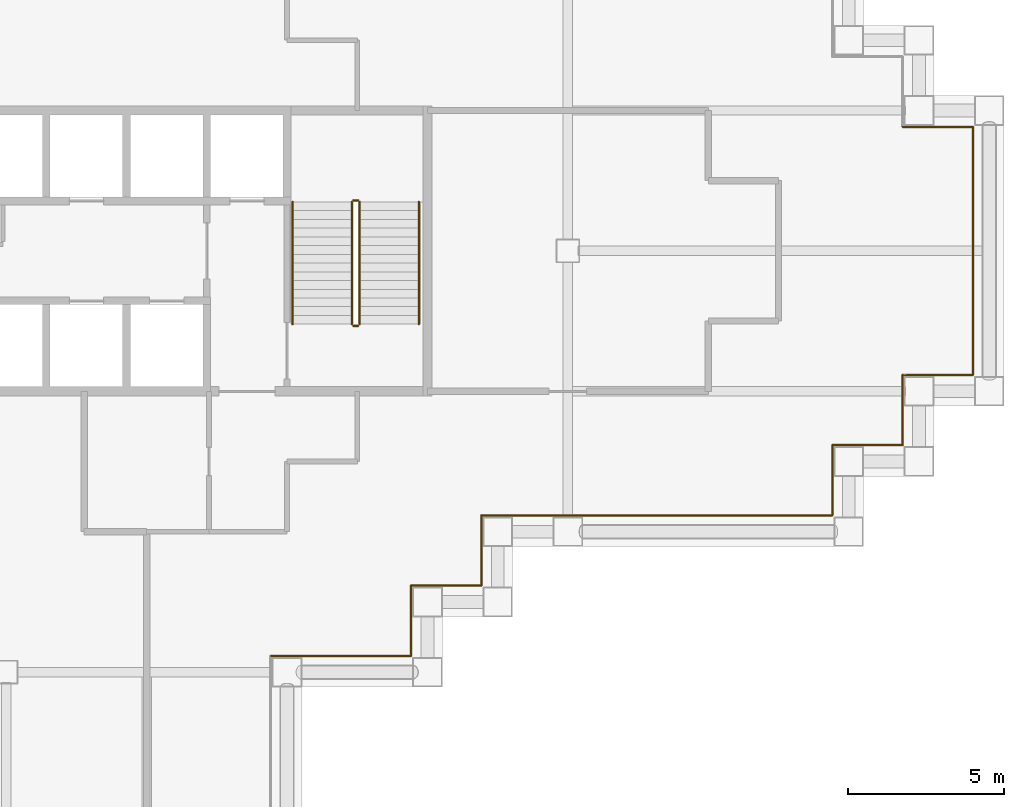
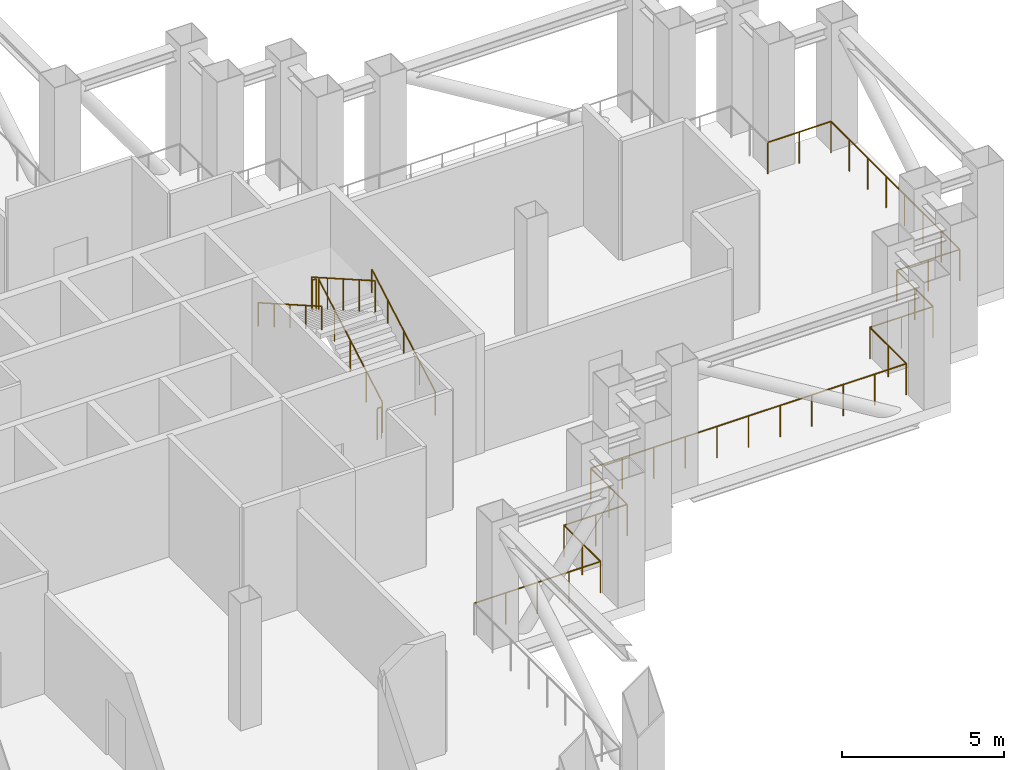
# One storey, part 9 of 10: 17 railings.
"""IFC4 building model written with IfcOpenShell, lengths in metres."""

import ifcopenshell
import ifcopenshell.guid

model = None  # the IFC model being written
_history = None  # IfcOwnerHistory: only IFC2X3 demands one
_inside = {}  # id of a spatial element -> (the spatial element, [elements in it])
_under = {}  # id of a project, library or spatial element -> (it, [spatial elements below it])
_declared = {}  # id of a project -> (the project, [libraries it declares])
_typed = {}  # id of a type object -> (the type object, [elements of that type])
_made_of = {}  # id of a material, layer set ... -> (it, [elements and type objects made of it])


def new_model(schema):
    """Start an empty IFC model of exactly this schema.

    Asked for "IFC4X3", IfcOpenShell would pick the latest addendum, in which some entities
    have other attributes; the version numbers below select the first issue.
    IFC2X3 requires an IfcOwnerHistory on every rooted entity: one is made here for all.
    """
    global model, _history
    if schema == "IFC4X3":
        model = ifcopenshell.file(schema_version=(4, 3, 0, 0))
    else:
        model = ifcopenshell.file(schema=schema)
    _inside.clear()
    _under.clear()
    _declared.clear()
    _typed.clear()
    _made_of.clear()
    _history = None
    if model.schema == "IFC2X3":
        org = make("IfcOrganization", Name="unknown")
        user = make(
            "IfcPersonAndOrganization",
            ThePerson=make("IfcPerson", FamilyName="unknown"),
            TheOrganization=org,
        )
        app = make(
            "IfcApplication",
            ApplicationDeveloper=org,
            Version="unknown",
            ApplicationFullName="unknown",
            ApplicationIdentifier="unknown",
        )
        _history = make(
            "IfcOwnerHistory",
            OwningUser=user,
            OwningApplication=app,
            ChangeAction="ADDED",
            CreationDate=0,
        )
    return model


def make(cls, **values):
    """One entity of the class cls with the attributes given. An attribute that is None is left unset."""
    return model.create_entity(
        cls, **{name: value for name, value in values.items() if value is not None}
    )


def rooted(cls, **values):
    """An entity with a GlobalId (a new one), such as an element, a storey or a relation."""
    return make(cls, GlobalId=ifcopenshell.guid.new(), OwnerHistory=_history, **values)


def si_unit(unit_type, name, prefix=None):
    """IfcSIUnit, for example si_unit("LENGTHUNIT", "METRE", prefix="MILLI")."""
    return make("IfcSIUnit", UnitType=unit_type, Prefix=prefix, Name=name)


def assignment(units):
    """IfcUnitAssignment: the units of a project."""
    return None if units is None else make("IfcUnitAssignment", Units=units)


def point(xyz):
    """IfcCartesianPoint."""
    return None if xyz is None else make("IfcCartesianPoint", Coordinates=xyz)


def direction(xyz):
    """IfcDirection."""
    return None if xyz is None else make("IfcDirection", DirectionRatios=xyz)


def frame(location, z_axis=None, x_axis=None):
    """IfcAxis2Placement3D, a coordinate frame: its origin and axes. An axis left out is left unset."""
    return make(
        "IfcAxis2Placement3D",
        Location=point(location),
        Axis=direction(z_axis),
        RefDirection=direction(x_axis),
    )


def frame_2d(location, x_axis=None):
    """IfcAxis2Placement2D, a coordinate frame in the plane: its origin and x axis."""
    return make(
        "IfcAxis2Placement2D", Location=point(location), RefDirection=direction(x_axis)
    )


def origin():
    """The frame at (0, 0, 0) with its axes left unset."""
    return frame((0.0, 0.0, 0.0))


def origin_2d():
    """The frame at (0, 0) in the plane with its x axis left unset."""
    return frame_2d((0.0, 0.0))


def place(relative_to, where):
    """IfcLocalPlacement: puts the frame where relative to a parent placement (None: the world)."""
    return make(
        "IfcLocalPlacement", PlacementRelTo=relative_to, RelativePlacement=where
    )


def context(
    kind, dimensions, precision=None, world=None, true_north=None, identifier=None
):
    """IfcGeometricRepresentationContext, for example the 3D "Model" context."""
    return make(
        "IfcGeometricRepresentationContext",
        ContextIdentifier=identifier,
        ContextType=kind,
        CoordinateSpaceDimension=dimensions,
        Precision=precision,
        WorldCoordinateSystem=world,
        TrueNorth=true_north,
    )


def subcontext(parent, identifier, kind, view, scale=None):
    """IfcGeometricRepresentationSubContext, for example "Body" below "Model"."""
    return make(
        "IfcGeometricRepresentationSubContext",
        ContextIdentifier=identifier,
        ContextType=kind,
        ParentContext=parent,
        TargetScale=scale,
        TargetView=view,
    )


def project(units=None, contexts=None):
    """IfcProject with its units and contexts."""
    return rooted(
        "IfcProject",
        Name="project",
        RepresentationContexts=contexts,
        UnitsInContext=assignment(units),
    )


def spatial(cls, under=None, at=None, **own):
    """A site, building, storey or space (cls), placed at a placement, below another one or the project."""
    s = rooted(cls, ObjectPlacement=at, **own)
    if under is not None:
        _under.setdefault(under.id(), (under, []))[1].append(s)
    return s


def profile(cls, at=None, kind="AREA", **sizes):
    """A parametric profile (cls). Its sizes go by their IFC names, for example OverallWidth=200.0."""
    return make(cls, ProfileType=kind, Position=at, **sizes)


def circle(**sizes):
    """IfcCircleProfileDef."""
    return profile("IfcCircleProfileDef", **sizes)


def extrude(swept, where, along, depth):
    """IfcExtrudedAreaSolid: the profile swept, set in the frame where, extruded along a direction by depth."""
    return make(
        "IfcExtrudedAreaSolid",
        SweptArea=swept,
        Position=where,
        ExtrudedDirection=direction(along),
        Depth=depth,
    )


def shape(context_of_items, identifier, shape_type, items):
    """IfcShapeRepresentation: the items that make up one representation, for example the "Body"."""
    return make(
        "IfcShapeRepresentation",
        ContextOfItems=context_of_items,
        RepresentationIdentifier=identifier,
        RepresentationType=shape_type,
        Items=items,
    )


def material(Name=None, Category=None):
    """IfcMaterial."""
    return make("IfcMaterial", Name=Name, Category=Category)


def made_of(thing, what):
    """Note that an element or type object is made of a material, layer set ...; save() writes the relation."""
    if what is not None:
        _made_of.setdefault(what.id(), (what, []))[1].append(thing)
    return thing


def type_object(cls, material=None, **own):
    """A type object (cls), such as IfcWallType, which elements share."""
    return made_of(rooted(cls, **own), material)


def element(
    cls,
    number,
    at=None,
    inside=None,
    cuts=None,
    type_object=None,
    material=None,
    context=None,
    identifier="Body",
    shape_type=None,
    held_by="IfcProductDefinitionShape",
    body=None,
    shapes=None,
    **own,
):
    """One element of the class cls, such as IfcWall. Its Tag is "e" and its number.

    at: its placement. inside: the storey or other place that contains it. cuts: it is an
    opening in that element (IfcRelVoidsElement). A single representation is given by context,
    identifier, shape_type and body (its items); several are given by shapes. held_by: the class
    of the entity that holds the representations. save() writes the other relations.
    """
    e = rooted(cls, Tag="e%d" % number, ObjectPlacement=at, **own)
    if body is not None:
        shapes = [shape(context, identifier, shape_type, body)]
    if shapes is not None:
        e.Representation = make(held_by, Representations=shapes)
    if inside is not None:
        _inside.setdefault(inside.id(), (inside, []))[1].append(e)
    if cuts is not None:
        rooted(
            "IfcRelVoidsElement", RelatingBuildingElement=cuts, RelatedOpeningElement=e
        )
    if type_object is not None:
        _typed.setdefault(type_object.id(), (type_object, []))[1].append(e)
    return made_of(e, material)


def aggregate(whole, parts):
    """IfcRelAggregates: a whole, such as a stair, and the parts it consists of."""
    return rooted("IfcRelAggregates", RelatingObject=whole, RelatedObjects=parts)


def save(model, path):
    """Write the relations noted so far, then the file.

    IfcRelAggregates (storeys below a building ...), IfcRelContainedInSpatialStructure (elements
    in a storey), IfcRelDefinesByType, IfcRelAssociatesMaterial and IfcRelDeclares: one each for
    every whole, place, type object, material and project.
    """
    for whole, parts in _under.values():
        aggregate(whole, parts)
    for where, things in _inside.values():
        rooted(
            "IfcRelContainedInSpatialStructure",
            RelatedElements=things,
            RelatingStructure=where,
        )
    for kind, things in _typed.values():
        rooted("IfcRelDefinesByType", RelatedObjects=things, RelatingType=kind)
    for what, things in _made_of.values():
        rooted("IfcRelAssociatesMaterial", RelatedObjects=things, RelatingMaterial=what)
    for by, libraries in _declared.values():
        rooted("IfcRelDeclares", RelatingContext=by, RelatedDefinitions=libraries)
    model.write(path)


model = new_model("IFC4")

# Units and contexts
model_context = context("Model", 3, precision=1e-05, world=origin(), true_north=direction((0.0, 1.0)))
body_context = subcontext(model_context, "Body", "Model", "MODEL_VIEW")
ifc_project = project(units=[si_unit("LENGTHUNIT", "METRE"), si_unit("AREAUNIT", "SQUARE_METRE"), si_unit("VOLUMEUNIT", "CUBIC_METRE"), si_unit("PLANEANGLEUNIT", "RADIAN"), si_unit("MASSUNIT", "GRAM", prefix="KILO")], contexts=[model_context])

# Site, building, storey
site_placement = place(None, origin())
site = spatial("IfcSite", under=ifc_project, at=site_placement, CompositionType="ELEMENT")
building_placement = place(site_placement, origin())
building = spatial("IfcBuilding", under=site, at=building_placement, Name="Caravel Reach Hotel and Residences", CompositionType="ELEMENT")
storey_placement = place(building_placement, frame((0.0, 0.0, 96.0)))
storey = spatial("IfcBuildingStorey", under=building, at=storey_placement, Name="L23", CompositionType="ELEMENT", Elevation=96.0)

# Railings
ifc_material_1 = material(Name="Stainless steel S30408", Category="steel")
railing_type_1 = type_object("IfcRailingType", Name="G1 Guard 1200 stainless", PredefinedType="GUARDRAIL", material=ifc_material_1)
railing_1_placement = place(storey_placement, frame((39.97509765625, 14.02490234375, 0.0)))
element("IfcRailing", 1, at=railing_1_placement, inside=storey, type_object=railing_type_1, Name="Guard L23 1 run 11", PredefinedType="GUARDRAIL", context=body_context, shape_type="SweptSolid", body=[
    extrude(circle(Radius=0.02392578125, at=origin_2d()), frame((0.0, 0.0, 1.17578125), z_axis=(1.0, 0.0, 0.0), x_axis=(0.0, 1.0, 0.0)), (0.0, 0.0, 1.0), 4.5),
    extrude(circle(Radius=0.02099609375, at=origin_2d()), frame((1.125, 0.0, 0.0)), (0.0, 0.0, 1.0), 1.15185546875),
    extrude(circle(Radius=0.02099609375, at=origin_2d()), frame((2.25, 0.0, 0.0)), (0.0, 0.0, 1.0), 1.15185546875),
    extrude(circle(Radius=0.02099609375, at=origin_2d()), frame((3.375, 0.0, 0.0)), (0.0, 0.0, 1.0), 1.15185546875),
    extrude(circle(Radius=0.02099609375, at=origin_2d()), frame((4.5, 0.0, 0.0)), (0.0, 0.0, 1.0), 1.15185546875),
])
railing_2_placement = place(storey_placement, frame((44.47509765625, 14.02490234375, 0.0)))
element("IfcRailing", 2, at=railing_2_placement, inside=storey, type_object=railing_type_1, Name="Guard L23 1 run 12", PredefinedType="GUARDRAIL", context=body_context, shape_type="SweptSolid", body=[
    extrude(circle(Radius=0.02392578125, at=origin_2d()), frame((0.0, 0.0, 1.17578125), z_axis=(0.0, 1.0, 0.0), x_axis=(-1.0, 0.0, 0.0)), (0.0, 0.0, 1.0), 2.25),
    extrude(circle(Radius=0.02099609375, at=origin_2d()), frame((0.0, 1.125, 0.0)), (0.0, 0.0, 1.0), 1.15185546875),
    extrude(circle(Radius=0.02099609375, at=origin_2d()), frame((0.0, 2.25, 0.0)), (0.0, 0.0, 1.0), 1.15185546875),
])
railing_3_placement = place(storey_placement, frame((44.47509765625, 16.27490234375, 0.0)))
element("IfcRailing", 3, at=railing_3_placement, inside=storey, type_object=railing_type_1, Name="Guard L23 1 run 13", PredefinedType="GUARDRAIL", context=body_context, shape_type="SweptSolid", body=[
    extrude(circle(Radius=0.02392578125, at=origin_2d()), frame((0.0, 0.0, 1.17578125), z_axis=(1.0, 0.0, 0.0), x_axis=(0.0, 1.0, 0.0)), (0.0, 0.0, 1.0), 2.25),
    extrude(circle(Radius=0.02099609375, at=origin_2d()), frame((1.125, 0.0, 0.0)), (0.0, 0.0, 1.0), 1.15185546875),
    extrude(circle(Radius=0.02099609375, at=origin_2d()), frame((2.25, 0.0, 0.0)), (0.0, 0.0, 1.0), 1.15185546875),
])
railing_4_placement = place(storey_placement, frame((46.72509765625, 16.27490234375, 0.0)))
element("IfcRailing", 4, at=railing_4_placement, inside=storey, type_object=railing_type_1, Name="Guard L23 1 run 14", PredefinedType="GUARDRAIL", context=body_context, shape_type="SweptSolid", body=[
    extrude(circle(Radius=0.02392578125, at=origin_2d()), frame((0.0, 0.0, 1.17578125), z_axis=(0.0, 1.0, 0.0), x_axis=(-1.0, 0.0, 0.0)), (0.0, 0.0, 1.0), 2.25),
    extrude(circle(Radius=0.02099609375, at=origin_2d()), frame((0.0, 1.125, 0.0)), (0.0, 0.0, 1.0), 1.15185546875),
    extrude(circle(Radius=0.02099609375, at=origin_2d()), frame((0.0, 2.25, 0.0)), (0.0, 0.0, 1.0), 1.15185546875),
])
railing_5_placement = place(storey_placement, frame((46.72509765625, 18.52490234375, 0.0)))
element("IfcRailing", 5, at=railing_5_placement, inside=storey, type_object=railing_type_1, Name="Guard L23 1 run 15", PredefinedType="GUARDRAIL", context=body_context, shape_type="SweptSolid", body=[
    extrude(circle(Radius=0.02392578125, at=origin_2d()), frame((0.0, 0.0, 1.17578125), z_axis=(1.0, 0.0, 0.0), x_axis=(0.0, 1.0, 0.0)), (0.0, 0.0, 1.0), 11.25),
    extrude(circle(Radius=0.02099609375, at=origin_2d()), frame((1.125, 0.0, 0.0)), (0.0, 0.0, 1.0), 1.15185546875),
    extrude(circle(Radius=0.02099609375, at=origin_2d()), frame((2.25, 0.0, 0.0)), (0.0, 0.0, 1.0), 1.15185546875),
    extrude(circle(Radius=0.02099609375, at=origin_2d()), frame((3.375, 0.0, 0.0)), (0.0, 0.0, 1.0), 1.15185546875),
    extrude(circle(Radius=0.02099609375, at=origin_2d()), frame((4.5, 0.0, 0.0)), (0.0, 0.0, 1.0), 1.15185546875),
    extrude(circle(Radius=0.02099609375, at=origin_2d()), frame((5.625, 0.0, 0.0)), (0.0, 0.0, 1.0), 1.15185546875),
    extrude(circle(Radius=0.02099609375, at=origin_2d()), frame((6.75, 0.0, 0.0)), (0.0, 0.0, 1.0), 1.15185546875),
    extrude(circle(Radius=0.02099609375, at=origin_2d()), frame((7.875, 0.0, 0.0)), (0.0, 0.0, 1.0), 1.15185546875),
    extrude(circle(Radius=0.02099609375, at=origin_2d()), frame((9.0, 0.0, 0.0)), (0.0, 0.0, 1.0), 1.15185546875),
    extrude(circle(Radius=0.02099609375, at=origin_2d()), frame((10.125, 0.0, 0.0)), (0.0, 0.0, 1.0), 1.15185546875),
    extrude(circle(Radius=0.02099609375, at=origin_2d()), frame((11.25, 0.0, 0.0)), (0.0, 0.0, 1.0), 1.15185546875),
])
railing_6_placement = place(storey_placement, frame((57.97509765625, 18.52490234375, 0.0)))
element("IfcRailing", 6, at=railing_6_placement, inside=storey, type_object=railing_type_1, Name="Guard L23 1 run 16", PredefinedType="GUARDRAIL", context=body_context, shape_type="SweptSolid", body=[
    extrude(circle(Radius=0.02392578125, at=origin_2d()), frame((0.0, 0.0, 1.17578125), z_axis=(0.0, 1.0, 0.0), x_axis=(-1.0, 0.0, 0.0)), (0.0, 0.0, 1.0), 2.25),
    extrude(circle(Radius=0.02099609375, at=origin_2d()), frame((0.0, 1.125, 0.0)), (0.0, 0.0, 1.0), 1.15185546875),
    extrude(circle(Radius=0.02099609375, at=origin_2d()), frame((0.0, 2.25, 0.0)), (0.0, 0.0, 1.0), 1.15185546875),
])
railing_7_placement = place(storey_placement, frame((57.97509765625, 20.77490234375, 0.0)))
element("IfcRailing", 7, at=railing_7_placement, inside=storey, type_object=railing_type_1, Name="Guard L23 1 run 17", PredefinedType="GUARDRAIL", context=body_context, shape_type="SweptSolid", body=[
    extrude(circle(Radius=0.02392578125, at=origin_2d()), frame((0.0, 0.0, 1.17578125), z_axis=(1.0, 0.0, 0.0), x_axis=(0.0, 1.0, 0.0)), (0.0, 0.0, 1.0), 2.25),
    extrude(circle(Radius=0.02099609375, at=origin_2d()), frame((1.125, 0.0, 0.0)), (0.0, 0.0, 1.0), 1.15185546875),
    extrude(circle(Radius=0.02099609375, at=origin_2d()), frame((2.25, 0.0, 0.0)), (0.0, 0.0, 1.0), 1.15185546875),
])
railing_8_placement = place(storey_placement, frame((60.22509765625, 20.77490234375, 0.0)))
element("IfcRailing", 8, at=railing_8_placement, inside=storey, type_object=railing_type_1, Name="Guard L23 1 run 18", PredefinedType="GUARDRAIL", context=body_context, shape_type="SweptSolid", body=[
    extrude(circle(Radius=0.02392578125, at=origin_2d()), frame((0.0, 0.0, 1.17578125), z_axis=(0.0, 1.0, 0.0), x_axis=(-1.0, 0.0, 0.0)), (0.0, 0.0, 1.0), 2.25),
    extrude(circle(Radius=0.02099609375, at=origin_2d()), frame((0.0, 1.125, 0.0)), (0.0, 0.0, 1.0), 1.15185546875),
    extrude(circle(Radius=0.02099609375, at=origin_2d()), frame((0.0, 2.25, 0.0)), (0.0, 0.0, 1.0), 1.15185546875),
])
railing_9_placement = place(storey_placement, frame((60.22509765625, 23.02490234375, 0.0)))
element("IfcRailing", 9, at=railing_9_placement, inside=storey, type_object=railing_type_1, Name="Guard L23 1 run 19", PredefinedType="GUARDRAIL", context=body_context, shape_type="SweptSolid", body=[
    extrude(circle(Radius=0.02392578125, at=origin_2d()), frame((0.0, 0.0, 1.17578125), z_axis=(1.0, 0.0, 0.0), x_axis=(0.0, 1.0, 0.0)), (0.0, 0.0, 1.0), 2.25),
    extrude(circle(Radius=0.02099609375, at=origin_2d()), frame((1.125, 0.0, 0.0)), (0.0, 0.0, 1.0), 1.15185546875),
    extrude(circle(Radius=0.02099609375, at=origin_2d()), frame((2.25, 0.0, 0.0)), (0.0, 0.0, 1.0), 1.15185546875),
])
railing_10_placement = place(storey_placement, frame((62.47509765625, 23.02490234375, 0.0)))
element("IfcRailing", 10, at=railing_10_placement, inside=storey, type_object=railing_type_1, Name="Guard L23 1 run 20", PredefinedType="GUARDRAIL", context=body_context, shape_type="SweptSolid", body=[
    extrude(circle(Radius=0.02392578125, at=origin_2d()), frame((0.0, 0.0, 1.17578125), z_axis=(0.0, 1.0, 0.0), x_axis=(-1.0, 0.0, 0.0)), (0.0, 0.0, 1.0), 7.9501953125),
    extrude(circle(Radius=0.02099609375, at=origin_2d()), frame((0.0, 1.1357421875, 0.0)), (0.0, 0.0, 1.0), 1.15185546875),
    extrude(circle(Radius=0.02099609375, at=origin_2d()), frame((0.0, 2.271484375, 0.0)), (0.0, 0.0, 1.0), 1.15185546875),
    extrude(circle(Radius=0.02099609375, at=origin_2d()), frame((0.0, 3.4072265625, 0.0)), (0.0, 0.0, 1.0), 1.15185546875),
    extrude(circle(Radius=0.02099609375, at=origin_2d()), frame((0.0, 4.54296875, 0.0)), (0.0, 0.0, 1.0), 1.15185546875),
    extrude(circle(Radius=0.02099609375, at=origin_2d()), frame((0.0, 5.6787109375, 0.0)), (0.0, 0.0, 1.0), 1.15185546875),
    extrude(circle(Radius=0.02099609375, at=origin_2d()), frame((0.0, 6.814453125, 0.0)), (0.0, 0.0, 1.0), 1.15185546875),
    extrude(circle(Radius=0.02099609375, at=origin_2d()), frame((0.0, 7.9501953125, 0.0)), (0.0, 0.0, 1.0), 1.15185546875),
])
railing_11_placement = place(storey_placement, frame((62.47509765625, 30.97509765625, 0.0)))
element("IfcRailing", 11, at=railing_11_placement, inside=storey, type_object=railing_type_1, Name="Guard L23 1 run 21", PredefinedType="GUARDRAIL", context=body_context, shape_type="SweptSolid", body=[
    extrude(circle(Radius=0.02392578125, at=origin_2d()), frame((0.0, 0.0, 1.17578125), z_axis=(-1.0, 0.0, 0.0), x_axis=(0.0, -1.0, 0.0)), (0.0, 0.0, 1.0), 2.25),
    extrude(circle(Radius=0.02099609375, at=origin_2d()), frame((-1.125, 0.0, 0.0)), (0.0, 0.0, 1.0), 1.15185546875),
    extrude(circle(Radius=0.02099609375, at=origin_2d()), frame((-2.25, 0.0, 0.0)), (0.0, 0.0, 1.0), 1.15185546875),
])
ifc_material_2 = material(Name="Steel balustrade with glass infill", Category="steel")
railing_type_2 = type_object("IfcRailingType", Name="Guard 1200", PredefinedType="GUARDRAIL", material=ifc_material_2)
railing_12_placement = place(storey_placement, frame((42.824951171875, 24.64990234375, 0.159912109375)))
element("IfcRailing", 12, at=railing_12_placement, inside=storey, type_object=railing_type_2, Name="L23 ST-B stair guard 1", PredefinedType="GUARDRAIL", context=body_context, shape_type="SweptSolid", body=[
    extrude(circle(Radius=0.02392578125, at=origin_2d()), frame((0.0, 0.0, 1.17578125), z_axis=(0.0, 0.86825312469, 0.496121468458), x_axis=(-1.0, 0.0, 0.0)), (0.0, 0.0, 1.0), 4.514892578125),
    extrude(circle(Radius=0.02099609375, at=origin_2d()), origin(), (0.0, 0.0, 1.0), 1.15185546875),
    extrude(circle(Radius=0.02099609375, at=origin_2d()), frame((0.0, 0.97998046875, 0.56005859375)), (0.0, 0.0, 1.0), 1.15185546875),
    extrude(circle(Radius=0.02099609375, at=origin_2d()), frame((0.0, 1.9599609375, 1.1201171875)), (0.0, 0.0, 1.0), 1.15185546875),
    extrude(circle(Radius=0.02099609375, at=origin_2d()), frame((0.0, 2.940185546875, 1.679931640625)), (0.0, 0.0, 1.0), 1.15185546875),
    extrude(circle(Radius=0.02099609375, at=origin_2d()), frame((0.0, 3.920166015625, 2.239990234375)), (0.0, 0.0, 1.0), 1.15185546875),
])
railing_13_placement = place(storey_placement, frame((42.77490234375, 28.6201171875, 2.39990234375)))
element("IfcRailing", 13, at=railing_13_placement, inside=storey, type_object=railing_type_2, Name="L23 ST-B stair guard 2", PredefinedType="GUARDRAIL", context=body_context, shape_type="SweptSolid", body=[
    extrude(circle(Radius=0.02392578125, at=origin_2d()), frame((0.0, 0.0, 1.17578125), z_axis=(-1.0, 0.0, 0.0), x_axis=(0.0, -1.0, 0.0)), (0.0, 0.0, 1.0), 0.14990234375),
    extrude(circle(Radius=0.02099609375, at=origin_2d()), origin(), (0.0, 0.0, 1.0), 1.15185546875),
    extrude(circle(Radius=0.02099609375, at=origin_2d()), frame((-0.14990234375, 0.0, 0.0)), (0.0, 0.0, 1.0), 1.15185546875),
])
railing_14_placement = place(storey_placement, frame((42.574951171875, 28.570068359375, 2.56005859375)))
element("IfcRailing", 14, at=railing_14_placement, inside=storey, type_object=railing_type_2, Name="L23 ST-B stair guard 3", PredefinedType="GUARDRAIL", context=body_context, shape_type="SweptSolid", body=[
    extrude(circle(Radius=0.02392578125, at=origin_2d()), frame((0.0, 0.0, 1.17578125), z_axis=(0.0, -0.86825312469, 0.496121468458), x_axis=(1.0, 0.0, 0.0)), (0.0, 0.0, 1.0), 4.514892578125),
    extrude(circle(Radius=0.02099609375, at=origin_2d()), origin(), (0.0, 0.0, 1.0), 1.15185546875),
    extrude(circle(Radius=0.02099609375, at=origin_2d()), frame((0.0, -0.97998046875, 0.56005859375)), (0.0, 0.0, 1.0), 1.15185546875),
    extrude(circle(Radius=0.02099609375, at=origin_2d()), frame((0.0, -1.9599609375, 1.1201171875)), (0.0, 0.0, 1.0), 1.15185546875),
    extrude(circle(Radius=0.02099609375, at=origin_2d()), frame((0.0, -2.940185546875, 1.679931640625)), (0.0, 0.0, 1.0), 1.15185546875),
    extrude(circle(Radius=0.02099609375, at=origin_2d()), frame((0.0, -3.920166015625, 2.239990234375)), (0.0, 0.0, 1.0), 1.15185546875),
])
railing_15_placement = place(storey_placement, frame((42.77490234375, 24.60009765625, 0.0)))
element("IfcRailing", 15, at=railing_15_placement, inside=storey, type_object=railing_type_2, Name="L23 ST-B stair guard 4", PredefinedType="GUARDRAIL", context=body_context, shape_type="SweptSolid", body=[
    extrude(circle(Radius=0.02392578125, at=origin_2d()), frame((0.0, 0.0, 1.17578125), z_axis=(-1.0, 0.0, 0.0), x_axis=(0.0, -1.0, 0.0)), (0.0, 0.0, 1.0), 0.14990234375),
    extrude(circle(Radius=0.02099609375, at=origin_2d()), origin(), (0.0, 0.0, 1.0), 1.15185546875),
    extrude(circle(Radius=0.02099609375, at=origin_2d()), frame((-0.14990234375, 0.0, 0.0)), (0.0, 0.0, 1.0), 1.15185546875),
])
ifc_material_3 = material(Name="Stainless steel handrail", Category="steel")
railing_type_3 = type_object("IfcRailingType", Name="Handrail 900", PredefinedType="HANDRAIL", material=ifc_material_3)
railing_16_placement = place(storey_placement, frame((44.72509765625, 24.64990234375, 0.159912109375)))
element("IfcRailing", 16, at=railing_16_placement, inside=storey, type_object=railing_type_3, Name="L23 ST-B stair handrail 1", PredefinedType="HANDRAIL", context=body_context, shape_type="SweptSolid", body=[
    extrude(circle(Radius=0.02392578125, at=origin_2d()), frame((0.0, 0.0, 0.8759765625), z_axis=(0.0, 0.86825312469, 0.496121468458), x_axis=(-1.0, 0.0, 0.0)), (0.0, 0.0, 1.0), 4.514892578125),
    extrude(circle(Radius=0.02099609375, at=origin_2d()), origin(), (0.0, 0.0, 1.0), 0.851806640625),
    extrude(circle(Radius=0.02099609375, at=origin_2d()), frame((0.0, 0.97998046875, 0.56005859375)), (0.0, 0.0, 1.0), 0.851806640625),
    extrude(circle(Radius=0.02099609375, at=origin_2d()), frame((0.0, 1.9599609375, 1.1201171875)), (0.0, 0.0, 1.0), 0.851806640625),
    extrude(circle(Radius=0.02099609375, at=origin_2d()), frame((0.0, 2.940185546875, 1.679931640625)), (0.0, 0.0, 1.0), 0.851806640625),
    extrude(circle(Radius=0.02099609375, at=origin_2d()), frame((0.0, 3.920166015625, 2.239990234375)), (0.0, 0.0, 1.0), 0.851806640625),
])
railing_17_placement = place(storey_placement, frame((40.675048828125, 28.570068359375, 2.56005859375)))
element("IfcRailing", 17, at=railing_17_placement, inside=storey, type_object=railing_type_3, Name="L23 ST-B stair handrail 2", PredefinedType="HANDRAIL", context=body_context, shape_type="SweptSolid", body=[
    extrude(circle(Radius=0.02392578125, at=origin_2d()), frame((0.0, 0.0, 0.8759765625), z_axis=(0.0, -0.86825312469, 0.496121468458), x_axis=(1.0, 0.0, 0.0)), (0.0, 0.0, 1.0), 4.514892578125),
    extrude(circle(Radius=0.02099609375, at=origin_2d()), origin(), (0.0, 0.0, 1.0), 0.851806640625),
    extrude(circle(Radius=0.02099609375, at=origin_2d()), frame((0.0, -0.97998046875, 0.56005859375)), (0.0, 0.0, 1.0), 0.851806640625),
    extrude(circle(Radius=0.02099609375, at=origin_2d()), frame((0.0, -1.9599609375, 1.1201171875)), (0.0, 0.0, 1.0), 0.851806640625),
    extrude(circle(Radius=0.02099609375, at=origin_2d()), frame((0.0, -2.940185546875, 1.679931640625)), (0.0, 0.0, 1.0), 0.851806640625),
    extrude(circle(Radius=0.02099609375, at=origin_2d()), frame((0.0, -3.920166015625, 2.239990234375)), (0.0, 0.0, 1.0), 0.851806640625),
])

save(model, "model.ifc")
